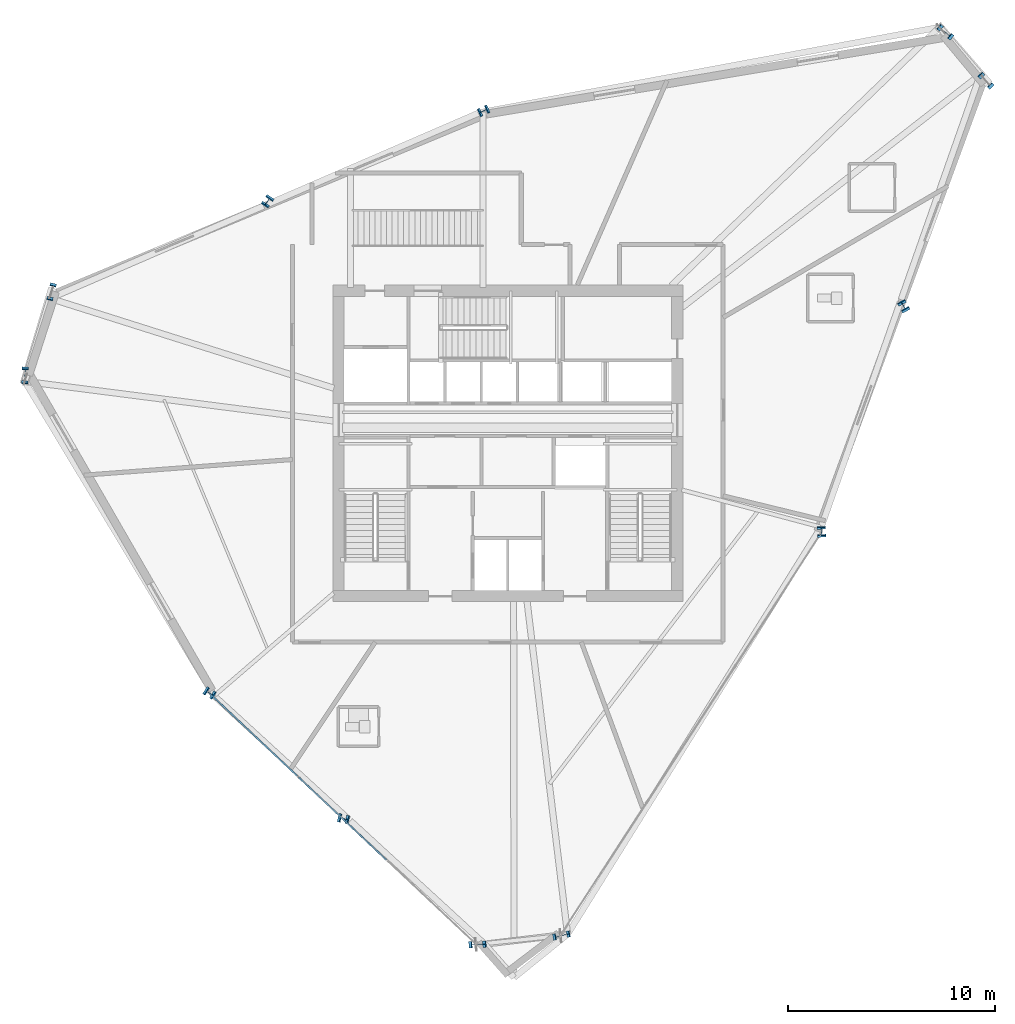
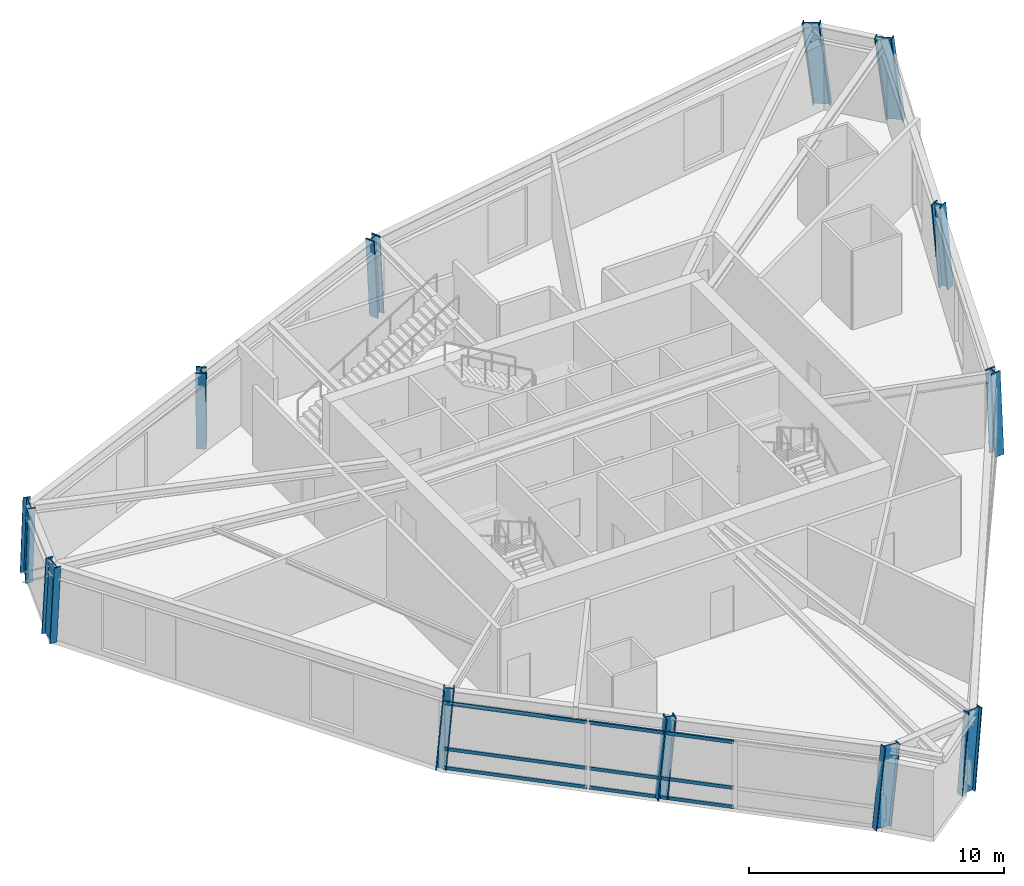
# One storey, part 1 of 14: 12 columns, 6 members, 1 element without a shape of its own.
"""IFC4 building model written with IfcOpenShell, lengths in metres."""

import ifcopenshell
import ifcopenshell.guid

model = None  # the IFC model being written
_history = None  # IfcOwnerHistory: only IFC2X3 demands one
_inside = {}  # id of a spatial element -> (the spatial element, [elements in it])
_under = {}  # id of a project, library or spatial element -> (it, [spatial elements below it])
_declared = {}  # id of a project -> (the project, [libraries it declares])
_typed = {}  # id of a type object -> (the type object, [elements of that type])
_made_of = {}  # id of a material, layer set ... -> (it, [elements and type objects made of it])


def new_model(schema):
    """Start an empty IFC model of exactly this schema.

    Asked for "IFC4X3", IfcOpenShell would pick the latest addendum, in which some entities
    have other attributes; the version numbers below select the first issue.
    IFC2X3 requires an IfcOwnerHistory on every rooted entity: one is made here for all.
    """
    global model, _history
    if schema == "IFC4X3":
        model = ifcopenshell.file(schema_version=(4, 3, 0, 0))
    else:
        model = ifcopenshell.file(schema=schema)
    _inside.clear()
    _under.clear()
    _declared.clear()
    _typed.clear()
    _made_of.clear()
    _history = None
    if model.schema == "IFC2X3":
        org = make("IfcOrganization", Name="unknown")
        user = make(
            "IfcPersonAndOrganization",
            ThePerson=make("IfcPerson", FamilyName="unknown"),
            TheOrganization=org,
        )
        app = make(
            "IfcApplication",
            ApplicationDeveloper=org,
            Version="unknown",
            ApplicationFullName="unknown",
            ApplicationIdentifier="unknown",
        )
        _history = make(
            "IfcOwnerHistory",
            OwningUser=user,
            OwningApplication=app,
            ChangeAction="ADDED",
            CreationDate=0,
        )
    return model


def make(cls, **values):
    """One entity of the class cls with the attributes given. An attribute that is None is left unset."""
    return model.create_entity(
        cls, **{name: value for name, value in values.items() if value is not None}
    )


def rooted(cls, **values):
    """An entity with a GlobalId (a new one), such as an element, a storey or a relation."""
    return make(cls, GlobalId=ifcopenshell.guid.new(), OwnerHistory=_history, **values)


def si_unit(unit_type, name, prefix=None):
    """IfcSIUnit, for example si_unit("LENGTHUNIT", "METRE", prefix="MILLI")."""
    return make("IfcSIUnit", UnitType=unit_type, Prefix=prefix, Name=name)


def assignment(units):
    """IfcUnitAssignment: the units of a project."""
    return None if units is None else make("IfcUnitAssignment", Units=units)


def point(xyz):
    """IfcCartesianPoint."""
    return None if xyz is None else make("IfcCartesianPoint", Coordinates=xyz)


def direction(xyz):
    """IfcDirection."""
    return None if xyz is None else make("IfcDirection", DirectionRatios=xyz)


def frame(location, z_axis=None, x_axis=None):
    """IfcAxis2Placement3D, a coordinate frame: its origin and axes. An axis left out is left unset."""
    return make(
        "IfcAxis2Placement3D",
        Location=point(location),
        Axis=direction(z_axis),
        RefDirection=direction(x_axis),
    )


def frame_2d(location, x_axis=None):
    """IfcAxis2Placement2D, a coordinate frame in the plane: its origin and x axis."""
    return make(
        "IfcAxis2Placement2D", Location=point(location), RefDirection=direction(x_axis)
    )


def origin():
    """The frame at (0, 0, 0) with its axes left unset."""
    return frame((0.0, 0.0, 0.0))


def origin_2d():
    """The frame at (0, 0) in the plane with its x axis left unset."""
    return frame_2d((0.0, 0.0))


def place(relative_to, where):
    """IfcLocalPlacement: puts the frame where relative to a parent placement (None: the world)."""
    return make(
        "IfcLocalPlacement", PlacementRelTo=relative_to, RelativePlacement=where
    )


def context(
    kind, dimensions, precision=None, world=None, true_north=None, identifier=None
):
    """IfcGeometricRepresentationContext, for example the 3D "Model" context."""
    return make(
        "IfcGeometricRepresentationContext",
        ContextIdentifier=identifier,
        ContextType=kind,
        CoordinateSpaceDimension=dimensions,
        Precision=precision,
        WorldCoordinateSystem=world,
        TrueNorth=true_north,
    )


def subcontext(parent, identifier, kind, view, scale=None):
    """IfcGeometricRepresentationSubContext, for example "Body" below "Model"."""
    return make(
        "IfcGeometricRepresentationSubContext",
        ContextIdentifier=identifier,
        ContextType=kind,
        ParentContext=parent,
        TargetScale=scale,
        TargetView=view,
    )


def project(units=None, contexts=None):
    """IfcProject with its units and contexts."""
    return rooted(
        "IfcProject",
        Name="project",
        RepresentationContexts=contexts,
        UnitsInContext=assignment(units),
    )


def spatial(cls, under=None, at=None, **own):
    """A site, building, storey or space (cls), placed at a placement, below another one or the project."""
    s = rooted(cls, ObjectPlacement=at, **own)
    if under is not None:
        _under.setdefault(under.id(), (under, []))[1].append(s)
    return s


def profile(cls, at=None, kind="AREA", **sizes):
    """A parametric profile (cls). Its sizes go by their IFC names, for example OverallWidth=200.0."""
    return make(cls, ProfileType=kind, Position=at, **sizes)


def hollow_rectangle(**sizes):
    """IfcRectangleHollowProfileDef."""
    return profile("IfcRectangleHollowProfileDef", **sizes)


def i_section(**sizes):
    """IfcIShapeProfileDef."""
    return profile("IfcIShapeProfileDef", **sizes)


def extrude(swept, where, along, depth):
    """IfcExtrudedAreaSolid: the profile swept, set in the frame where, extruded along a direction by depth."""
    return make(
        "IfcExtrudedAreaSolid",
        SweptArea=swept,
        Position=where,
        ExtrudedDirection=direction(along),
        Depth=depth,
    )


def shape(context_of_items, identifier, shape_type, items):
    """IfcShapeRepresentation: the items that make up one representation, for example the "Body"."""
    return make(
        "IfcShapeRepresentation",
        ContextOfItems=context_of_items,
        RepresentationIdentifier=identifier,
        RepresentationType=shape_type,
        Items=items,
    )


def source(mapping_origin, context_of_items, identifier, shape_type, items):
    """IfcRepresentationMap: a shape defined once, which mapped items show again and again."""
    return make(
        "IfcRepresentationMap",
        MappingOrigin=mapping_origin,
        MappedRepresentation=shape(context_of_items, identifier, shape_type, items),
    )


def transform(
    local_origin,
    x_axis=None,
    y_axis=None,
    z_axis=None,
    scale=None,
    scale2=None,
    scale3=None,
    uniform=True,
):
    """IfcCartesianTransformationOperator3D, or its non-uniform kind. x_axis, y_axis, z_axis: its Axis1, 2, 3."""
    if uniform:
        return make(
            "IfcCartesianTransformationOperator3D",
            Axis1=direction(x_axis),
            Axis2=direction(y_axis),
            LocalOrigin=point(local_origin),
            Scale=scale,
            Axis3=direction(z_axis),
        )
    return make(
        "IfcCartesianTransformationOperator3DnonUniform",
        Axis1=direction(x_axis),
        Axis2=direction(y_axis),
        LocalOrigin=point(local_origin),
        Scale=scale,
        Axis3=direction(z_axis),
        Scale2=scale2,
        Scale3=scale3,
    )


def mapped(mapping_source, mapping_target):
    """IfcMappedItem: shows the shape of a source again, moved by a transform."""
    return make(
        "IfcMappedItem", MappingSource=mapping_source, MappingTarget=mapping_target
    )


def material(Name=None, Category=None):
    """IfcMaterial."""
    return make("IfcMaterial", Name=Name, Category=Category)


def material_profile(
    of_material, cross_section, Name=None, Category=None, Priority=None
):
    """IfcMaterialProfile: a cross section and its material."""
    return make(
        "IfcMaterialProfile",
        Name=Name,
        Material=of_material,
        Profile=cross_section,
        Priority=Priority,
        Category=Category,
    )


def profile_set(profiles, Name=None, composite=None):
    """IfcMaterialProfileSet."""
    return make(
        "IfcMaterialProfileSet",
        Name=Name,
        MaterialProfiles=profiles,
        CompositeProfile=composite,
    )


def made_of(thing, what):
    """Note that an element or type object is made of a material, layer set ...; save() writes the relation."""
    if what is not None:
        _made_of.setdefault(what.id(), (what, []))[1].append(thing)
    return thing


def type_object(cls, material=None, **own):
    """A type object (cls), such as IfcWallType, which elements share."""
    return made_of(rooted(cls, **own), material)


def element(
    cls,
    number,
    at=None,
    inside=None,
    cuts=None,
    type_object=None,
    material=None,
    context=None,
    identifier="Body",
    shape_type=None,
    held_by="IfcProductDefinitionShape",
    body=None,
    shapes=None,
    **own,
):
    """One element of the class cls, such as IfcWall. Its Tag is "e" and its number.

    at: its placement. inside: the storey or other place that contains it. cuts: it is an
    opening in that element (IfcRelVoidsElement). A single representation is given by context,
    identifier, shape_type and body (its items); several are given by shapes. held_by: the class
    of the entity that holds the representations. save() writes the other relations.
    """
    e = rooted(cls, Tag="e%d" % number, ObjectPlacement=at, **own)
    if body is not None:
        shapes = [shape(context, identifier, shape_type, body)]
    if shapes is not None:
        e.Representation = make(held_by, Representations=shapes)
    if inside is not None:
        _inside.setdefault(inside.id(), (inside, []))[1].append(e)
    if cuts is not None:
        rooted(
            "IfcRelVoidsElement", RelatingBuildingElement=cuts, RelatedOpeningElement=e
        )
    if type_object is not None:
        _typed.setdefault(type_object.id(), (type_object, []))[1].append(e)
    return made_of(e, material)


def aggregate(whole, parts):
    """IfcRelAggregates: a whole, such as a stair, and the parts it consists of."""
    return rooted("IfcRelAggregates", RelatingObject=whole, RelatedObjects=parts)


def save(model, path):
    """Write the relations noted so far, then the file.

    IfcRelAggregates (storeys below a building ...), IfcRelContainedInSpatialStructure (elements
    in a storey), IfcRelDefinesByType, IfcRelAssociatesMaterial and IfcRelDeclares: one each for
    every whole, place, type object, material and project.
    """
    for whole, parts in _under.values():
        aggregate(whole, parts)
    for where, things in _inside.values():
        rooted(
            "IfcRelContainedInSpatialStructure",
            RelatedElements=things,
            RelatingStructure=where,
        )
    for kind, things in _typed.values():
        rooted("IfcRelDefinesByType", RelatedObjects=things, RelatingType=kind)
    for what, things in _made_of.values():
        rooted("IfcRelAssociatesMaterial", RelatedObjects=things, RelatingMaterial=what)
    for by, libraries in _declared.values():
        rooted("IfcRelDeclares", RelatingContext=by, RelatedDefinitions=libraries)
    model.write(path)


model = new_model("IFC4")

# Units and contexts
model_context = context("Model", 3, precision=1e-05, world=origin(), true_north=direction((0.0, 1.0)))
body_context = subcontext(model_context, "Body", "Model", "MODEL_VIEW")
ifc_project = project(units=[si_unit("LENGTHUNIT", "METRE"), si_unit("AREAUNIT", "SQUARE_METRE"), si_unit("VOLUMEUNIT", "CUBIC_METRE"), si_unit("PLANEANGLEUNIT", "RADIAN"), si_unit("MASSUNIT", "GRAM", prefix="KILO")], contexts=[model_context])

# Site, building, storey
site_placement = place(None, origin())
site = spatial("IfcSite", under=ifc_project, at=site_placement, CompositionType="ELEMENT")
building_placement = place(site_placement, origin())
building = spatial("IfcBuilding", under=site, at=building_placement, Name="Olszyna Solenne Hotel", CompositionType="ELEMENT")
storey_placement = place(building_placement, frame((0.0, 0.0, 196.300048828125)))
storey = spatial("IfcBuildingStorey", under=building, at=storey_placement, Name="L52", CompositionType="ELEMENT", Elevation=196.300048828125)

# Columns
ifc_material_1 = material(Name="Steel S460M", Category="steel")
ifc_material_profile_1 = material_profile(ifc_material_1, i_section(OverallWidth=0.303955078125, OverallDepth=0.716064453125, WebThickness=0.02099609375, FlangeThickness=0.0400390625, at=origin_2d()), Name="HEM 700", Category="load-bearing")
ifc_profile_set_1 = profile_set([ifc_material_profile_1], Name="Steel S460M")
column_type_1 = type_object("IfcColumnType", Name="COL-K2", PredefinedType="COLUMN", material=ifc_profile_set_1)
shared_shape_1 = source(origin(), body_context, "Body", "SweptSolid", [
    extrude(i_section(OverallWidth=0.303955078125, OverallDepth=0.716064453125, WebThickness=0.02099609375, FlangeThickness=0.0400390625, at=origin_2d()), origin(), (0.0, 0.0, 1.0), 3.8515625),
])
column_1_placement = place(storey_placement, frame((40.537109375, 2.8193359375, 0.0), z_axis=(0.090645001599, 0.019079822015, 0.995700479099), x_axis=(-0.20597599337, 0.978557044916, 0.0)))
element("IfcColumn", 1, at=column_1_placement, inside=storey, type_object=column_type_1, Name="Perimeter framed-tube column COL-K2 C-L52-10", PredefinedType="COLUMN", context=body_context, shape_type="MappedRepresentation", body=[
    mapped(shared_shape_1, transform((0.0, 0.0, 0.0), x_axis=(1.0, 0.0, 0.0), y_axis=(0.0, 1.0, 0.0), z_axis=(0.0, 0.0, 1.0), scale=1.0)),
])
shared_shape_2 = source(origin(), body_context, "Body", "SweptSolid", [
    extrude(i_section(OverallWidth=0.303955078125, OverallDepth=0.716064453125, WebThickness=0.02099609375, FlangeThickness=0.0400390625, at=origin_2d()), origin(), (0.0, 0.0, 1.0), 3.864013671875),
])
column_2_placement = place(storey_placement, frame((61.142333984375, 44.056396484375, 0.0), z_axis=(-0.083525770677, 0.089780726273, 0.992452954463), x_axis=(-0.732150884226, -0.681142483425, 0.0)))
element("IfcColumn", 2, at=column_2_placement, inside=storey, type_object=column_type_1, Name="Perimeter framed-tube column COL-K2 C-L52-01", PredefinedType="COLUMN", context=body_context, shape_type="MappedRepresentation", body=[
    mapped(shared_shape_2, transform((0.0, 0.0, 0.0), x_axis=(1.0, 0.0, 0.0), y_axis=(0.0, 1.0, 0.0), z_axis=(0.0, 0.0, 1.0), scale=1.0)),
])
shared_shape_3 = source(origin(), body_context, "Body", "SweptSolid", [
    extrude(i_section(OverallWidth=0.303955078125, OverallDepth=0.716064453125, WebThickness=0.02099609375, FlangeThickness=0.0400390625, at=origin_2d()), origin(), (0.0, 0.0, 1.0), 3.860107421875),
])
column_3_placement = place(storey_placement, frame((59.18505859375, 46.409912109375, 0.0), z_axis=(-0.086647024818, 0.074250808128, 0.993468223237), x_axis=(-0.650700079032, -0.759334845208, 0.0)))
element("IfcColumn", 3, at=column_3_placement, inside=storey, type_object=column_type_1, Name="Perimeter framed-tube column COL-K2 C-L52-02", PredefinedType="COLUMN", context=body_context, shape_type="MappedRepresentation", body=[
    mapped(shared_shape_3, transform((0.0, 0.0, 0.0), x_axis=(1.0, 0.0, 0.0), y_axis=(0.0, 1.0, 0.0), z_axis=(0.0, 0.0, 1.0), scale=1.0)),
])
ifc_material_profile_2 = material_profile(ifc_material_1, i_section(OverallWidth=0.412109375, OverallDepth=0.43505859375, WebThickness=0.031494140625, FlangeThickness=0.050048828125, at=origin_2d()), Name="HD 400x463", Category="load-bearing")
ifc_profile_set_2 = profile_set([ifc_material_profile_2], Name="Steel S460M")
column_type_2 = type_object("IfcColumnType", Name="COL-T3", PredefinedType="COLUMN", material=ifc_profile_set_2)
shared_shape_4 = source(origin(), body_context, "Body", "SweptSolid", [
    extrude(i_section(OverallWidth=0.412109375, OverallDepth=0.43505859375, WebThickness=0.031494140625, FlangeThickness=0.050048828125, at=origin_2d()), origin(), (0.0, 0.0, 1.0), 3.84375),
])
column_4_placement = place(storey_placement, frame((36.86865234375, 42.674072265625, 0.0), z_axis=(-0.061358573177, -0.027249304237, 0.997743755138), x_axis=(0.405875102932, -0.913928553455, 0.0)))
element("IfcColumn", 4, at=column_4_placement, inside=storey, type_object=column_type_2, Name="Perimeter framed-tube column COL-T3 C-L52-03", PredefinedType="COLUMN", context=body_context, shape_type="MappedRepresentation", body=[
    mapped(shared_shape_4, transform((0.0, 0.0, 0.0), x_axis=(1.0, 0.0, 0.0), y_axis=(0.0, 1.0, 0.0), z_axis=(0.0, 0.0, 1.0), scale=1.0)),
])
shared_shape_5 = source(origin(), body_context, "Body", "SweptSolid", [
    extrude(i_section(OverallWidth=0.412109375, OverallDepth=0.43505859375, WebThickness=0.031494140625, FlangeThickness=0.050048828125, at=origin_2d()), origin(), (0.0, 0.0, 1.0), 3.845947265625),
])
column_5_placement = place(storey_placement, frame((26.42431640625, 38.32568359375, 0.0), z_axis=(-0.04221429404, -0.062591419433, 0.997146061313), x_axis=(0.829063063955, -0.559155109057, 0.0)))
element("IfcColumn", 5, at=column_5_placement, inside=storey, type_object=column_type_2, Name="Perimeter framed-tube column COL-T3 C-L52-04", PredefinedType="COLUMN", context=body_context, shape_type="MappedRepresentation", body=[
    mapped(shared_shape_5, transform((0.0, 0.0, 0.0), x_axis=(1.0, 0.0, 0.0), y_axis=(0.0, 1.0, 0.0), z_axis=(0.0, 0.0, 1.0), scale=1.0)),
])
shared_shape_6 = source(origin(), body_context, "Body", "SweptSolid", [
    extrude(i_section(OverallWidth=0.303955078125, OverallDepth=0.716064453125, WebThickness=0.02099609375, FlangeThickness=0.0400390625, at=origin_2d()), origin(), (0.0, 0.0, 1.0), 3.8544921875),
])
column_6_placement = place(storey_placement, frame((15.97998046875, 33.977294921875, 0.0), z_axis=(-0.023055778163, -0.097733696994, 0.994945503817), x_axis=(0.973284646611, -0.229601822013, 0.0)))
element("IfcColumn", 6, at=column_6_placement, inside=storey, type_object=column_type_1, Name="Perimeter framed-tube column COL-K2 C-L52-05", PredefinedType="COLUMN", context=body_context, shape_type="MappedRepresentation", body=[
    mapped(shared_shape_6, transform((0.0, 0.0, 0.0), x_axis=(1.0, 0.0, 0.0), y_axis=(0.0, 1.0, 0.0), z_axis=(0.0, 0.0, 1.0), scale=1.0)),
])
shared_shape_7 = source(origin(), body_context, "Body", "SweptSolid", [
    extrude(i_section(OverallWidth=0.303955078125, OverallDepth=0.716064453125, WebThickness=0.02099609375, FlangeThickness=0.0400390625, at=origin_2d()), origin(), (0.0, 0.0, 1.0), 3.8505859375),
])
column_7_placement = place(storey_placement, frame((14.683349609375, 29.93798828125, 0.0), z_axis=(-0.002599570404, -0.089843689343, 0.995952485673), x_axis=(0.999581663817, -0.028922264091, 0.0)))
element("IfcColumn", 7, at=column_7_placement, inside=storey, type_object=column_type_1, Name="Perimeter framed-tube column COL-K2 C-L52-06", PredefinedType="COLUMN", context=body_context, shape_type="MappedRepresentation", body=[
    mapped(shared_shape_7, transform((0.0, 0.0, 0.0), x_axis=(1.0, 0.0, 0.0), y_axis=(0.0, 1.0, 0.0), z_axis=(0.0, 0.0, 1.0), scale=1.0)),
])
shared_shape_8 = source(origin(), body_context, "Body", "SweptSolid", [
    extrude(i_section(OverallWidth=0.412109375, OverallDepth=0.43505859375, WebThickness=0.031494140625, FlangeThickness=0.050048828125, at=origin_2d()), origin(), (0.0, 0.0, 1.0), 3.847412109375),
])
column_8_placement = place(storey_placement, frame((23.553466796875, 14.56689453125, 0.0), z_axis=(0.068340422567, -0.042831741163, 0.996742207691), x_axis=(0.531059317965, 0.847334645109, 0.0)))
element("IfcColumn", 8, at=column_8_placement, inside=storey, type_object=column_type_2, Name="Perimeter framed-tube column COL-T3 C-L52-07", PredefinedType="COLUMN", context=body_context, shape_type="MappedRepresentation", body=[
    mapped(shared_shape_8, transform((0.0, 0.0, 0.0), x_axis=(1.0, 0.0, 0.0), y_axis=(0.0, 1.0, 0.0), z_axis=(0.0, 0.0, 1.0), scale=1.0)),
])
shared_shape_9 = source(origin(), body_context, "Body", "SweptSolid", [
    extrude(i_section(OverallWidth=0.412109375, OverallDepth=0.43505859375, WebThickness=0.031494140625, FlangeThickness=0.050048828125, at=origin_2d()), origin(), (0.0, 0.0, 1.0), 3.850341796875),
])
column_9_placement = place(storey_placement, frame((30.0126953125, 8.483154296875, 0.0), z_axis=(0.087059297295, -0.01940287325, 0.996014160172), x_axis=(0.217532582866, 0.976053059722, 0.0)))
element("IfcColumn", 9, at=column_9_placement, inside=storey, type_object=column_type_2, Name="Perimeter framed-tube column COL-T3 C-L52-08", PredefinedType="COLUMN", context=body_context, shape_type="MappedRepresentation", body=[
    mapped(shared_shape_9, transform((0.0, 0.0, 0.0), x_axis=(1.0, 0.0, 0.0), y_axis=(0.0, 1.0, 0.0), z_axis=(0.0, 0.0, 1.0), scale=1.0)),
])
shared_shape_10 = source(origin(), body_context, "Body", "SweptSolid", [
    extrude(i_section(OverallWidth=0.303955078125, OverallDepth=0.716064453125, WebThickness=0.02099609375, FlangeThickness=0.0400390625, at=origin_2d()), origin(), (0.0, 0.0, 1.0), 3.8564453125),
])
column_10_placement = place(storey_placement, frame((36.47216796875, 2.3994140625, 0.0), z_axis=(0.105530824628, 0.003988267517, 0.994408034348), x_axis=(-0.037765481508, 0.999286629755, 0.0)))
element("IfcColumn", 10, at=column_10_placement, inside=storey, type_object=column_type_1, Name="Perimeter framed-tube column COL-K2 C-L52-09", PredefinedType="COLUMN", context=body_context, shape_type="MappedRepresentation", body=[
    mapped(shared_shape_10, transform((0.0, 0.0, 0.0), x_axis=(1.0, 0.0, 0.0), y_axis=(0.0, 1.0, 0.0), z_axis=(0.0, 0.0, 1.0), scale=1.0)),
])
shared_shape_11 = source(origin(), body_context, "Body", "SweptSolid", [
    extrude(i_section(OverallWidth=0.412109375, OverallDepth=0.43505859375, WebThickness=0.031494140625, FlangeThickness=0.050048828125, at=origin_2d()), origin(), (0.0, 0.0, 1.0), 3.844482421875),
])
column_11_placement = place(storey_placement, frame((53.148681640625, 22.2841796875, 0.0), z_axis=(-0.003746862239, 0.069793247462, 0.997554441438), x_axis=(-0.99856205882, -0.053607972221, 0.0)))
element("IfcColumn", 11, at=column_11_placement, inside=storey, type_object=column_type_2, Name="Perimeter framed-tube column COL-T3 C-L52-11", PredefinedType="COLUMN", context=body_context, shape_type="MappedRepresentation", body=[
    mapped(shared_shape_11, transform((0.0, 0.0, 0.0), x_axis=(1.0, 0.0, 0.0), y_axis=(0.0, 1.0, 0.0), z_axis=(0.0, 0.0, 1.0), scale=1.0)),
])
shared_shape_12 = source(origin(), body_context, "Body", "SweptSolid", [
    extrude(i_section(OverallWidth=0.412109375, OverallDepth=0.43505859375, WebThickness=0.031494140625, FlangeThickness=0.050048828125, at=origin_2d()), origin(), (0.0, 0.0, 1.0), 3.85107421875),
])
column_12_placement = place(storey_placement, frame((57.1455078125, 33.170166015625, 0.0), z_axis=(-0.043744108522, 0.079880545996, 0.995844140085), x_axis=(-0.877096267842, -0.480314622866, 0.0)))
element("IfcColumn", 12, at=column_12_placement, inside=storey, type_object=column_type_2, Name="Perimeter framed-tube column COL-T3 C-L52-12", PredefinedType="COLUMN", context=body_context, shape_type="MappedRepresentation", body=[
    mapped(shared_shape_12, transform((0.0, 0.0, 0.0), x_axis=(1.0, 0.0, 0.0), y_axis=(0.0, 1.0, 0.0), z_axis=(0.0, 0.0, 1.0), scale=1.0)),
])

# Curtain wall, members
ifc_material_2 = material(Name="Anodised bronze aluminium", Category="aluminium")
curtain_wall_type = type_object("IfcCurtainWallType", Name="CW-SYS-6", PredefinedType="NOTDEFINED", material=ifc_material_2)
curtain_wall_placement = place(storey_placement, origin())
curtain_wall = element("IfcCurtainWall", 13, at=curtain_wall_placement, inside=storey, type_object=curtain_wall_type, Name="Unitised curtain wall CW-SYS-6 CW-L52-02", PredefinedType="NOTDEFINED")
ifc_material_profile_3 = material_profile(ifc_material_2, hollow_rectangle(XDim=0.074951171875, YDim=0.159912109375, WallThickness=0.00390625, at=origin_2d()), Name="TRAN 160x75x4", Category="load-bearing")
ifc_profile_set_3 = profile_set([ifc_material_profile_3], Name="Anodised bronze aluminium")
member_type = type_object("IfcMemberType", Name="CW-T1", PredefinedType="USERDEFINED", material=ifc_profile_set_3)
shared_shape_13 = source(origin(), body_context, "Body", "SweptSolid", [
    extrude(hollow_rectangle(XDim=0.074951171875, YDim=0.159912109375, WallThickness=0.00390625, at=origin_2d()), origin(), (0.0, 0.0, 1.0), 5.79541015625),
])
member_1_placement = place(storey_placement, frame((23.61181640625, 14.51220703125, 0.037353515625), z_axis=(0.727937753198, -0.685643221704, 0.0), x_axis=(0.685643221704, 0.727937753198, 0.0)))
member_1 = element("IfcMember", 14, at=member_1_placement, type_object=member_type, Name="Curtain-wall transom CW-T1 CT-L52-02-01", ObjectType="TRANSOM", PredefinedType="USERDEFINED", context=body_context, shape_type="MappedRepresentation", body=[
    mapped(shared_shape_13, transform((0.0, 0.0, 0.0), x_axis=(1.0, 0.0, 0.0), y_axis=(0.0, 1.0, 0.0), z_axis=(0.0, 0.0, 1.0), scale=1.0)),
])
member_2_placement = place(storey_placement, frame((23.61181640625, 14.51220703125, 0.949951171875), z_axis=(0.727937753198, -0.685643221704, 0.0), x_axis=(0.685643221704, 0.727937753198, 0.0)))
member_2 = element("IfcMember", 15, at=member_2_placement, type_object=member_type, Name="Curtain-wall transom CW-T1 CT-L52-02-02", ObjectType="TRANSOM", PredefinedType="USERDEFINED", context=body_context, shape_type="MappedRepresentation", body=[
    mapped(shared_shape_13, transform((0.0, 0.0, 0.0), x_axis=(1.0, 0.0, 0.0), y_axis=(0.0, 1.0, 0.0), z_axis=(0.0, 0.0, 1.0), scale=1.0)),
])
member_3_placement = place(storey_placement, frame((23.61181640625, 14.51220703125, 3.134521484375), z_axis=(0.727937753198, -0.685643221704, 0.0), x_axis=(0.685643221704, 0.727937753198, 0.0)))
member_3 = element("IfcMember", 16, at=member_3_placement, type_object=member_type, Name="Curtain-wall transom CW-T1 CT-L52-02-03", ObjectType="TRANSOM", PredefinedType="USERDEFINED", context=body_context, shape_type="MappedRepresentation", body=[
    mapped(shared_shape_13, transform((0.0, 0.0, 0.0), x_axis=(1.0, 0.0, 0.0), y_axis=(0.0, 1.0, 0.0), z_axis=(0.0, 0.0, 1.0), scale=1.0)),
])
shared_shape_14 = source(origin(), body_context, "Body", "SweptSolid", [
    extrude(hollow_rectangle(XDim=0.074951171875, YDim=0.159912109375, WallThickness=0.00390625, at=origin_2d()), origin(), (0.0, 0.0, 1.0), 5.83544921875),
])
member_4_placement = place(storey_placement, frame((27.888916015625, 10.483642578125, 0.037353515625), z_axis=(0.727939546498, -0.685641317778, 0.0), x_axis=(0.685641317778, 0.727939546498, 0.0)))
member_4 = element("IfcMember", 17, at=member_4_placement, type_object=member_type, Name="Curtain-wall transom CW-T1 CT-L52-02-04", ObjectType="TRANSOM", PredefinedType="USERDEFINED", context=body_context, shape_type="MappedRepresentation", body=[
    mapped(shared_shape_14, transform((0.0, 0.0, 0.0), x_axis=(1.0, 0.0, 0.0), y_axis=(0.0, 1.0, 0.0), z_axis=(0.0, 0.0, 1.0), scale=1.0)),
])
member_5_placement = place(storey_placement, frame((27.888916015625, 10.483642578125, 0.949951171875), z_axis=(0.727939546498, -0.685641317778, 0.0), x_axis=(0.685641317778, 0.727939546498, 0.0)))
member_5 = element("IfcMember", 18, at=member_5_placement, type_object=member_type, Name="Curtain-wall transom CW-T1 CT-L52-02-05", ObjectType="TRANSOM", PredefinedType="USERDEFINED", context=body_context, shape_type="MappedRepresentation", body=[
    mapped(shared_shape_14, transform((0.0, 0.0, 0.0), x_axis=(1.0, 0.0, 0.0), y_axis=(0.0, 1.0, 0.0), z_axis=(0.0, 0.0, 1.0), scale=1.0)),
])
member_6_placement = place(storey_placement, frame((27.888916015625, 10.483642578125, 3.134521484375), z_axis=(0.727939546498, -0.685641317778, 0.0), x_axis=(0.685641317778, 0.727939546498, 0.0)))
member_6 = element("IfcMember", 19, at=member_6_placement, type_object=member_type, Name="Curtain-wall transom CW-T1 CT-L52-02-06", ObjectType="TRANSOM", PredefinedType="USERDEFINED", context=body_context, shape_type="MappedRepresentation", body=[
    mapped(shared_shape_14, transform((0.0, 0.0, 0.0), x_axis=(1.0, 0.0, 0.0), y_axis=(0.0, 1.0, 0.0), z_axis=(0.0, 0.0, 1.0), scale=1.0)),
])
aggregate(curtain_wall, [member_1, member_2, member_3, member_4, member_5, member_6])

save(model, "model.ifc")
